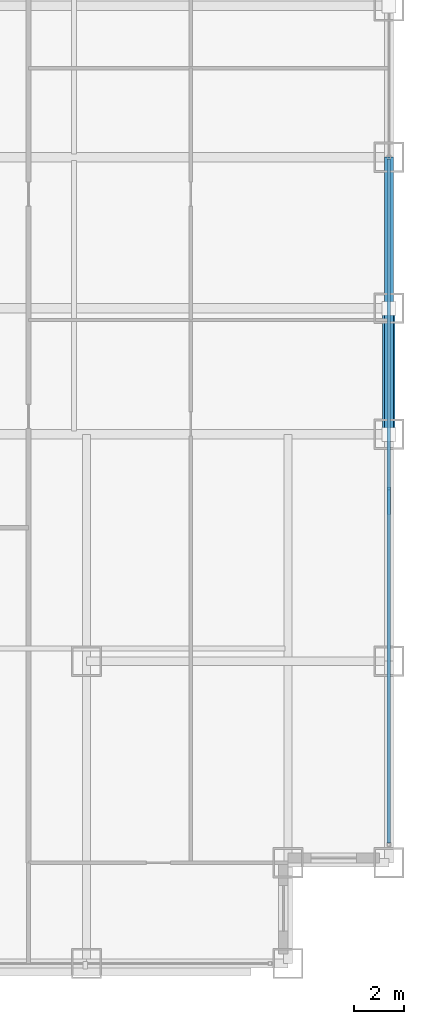
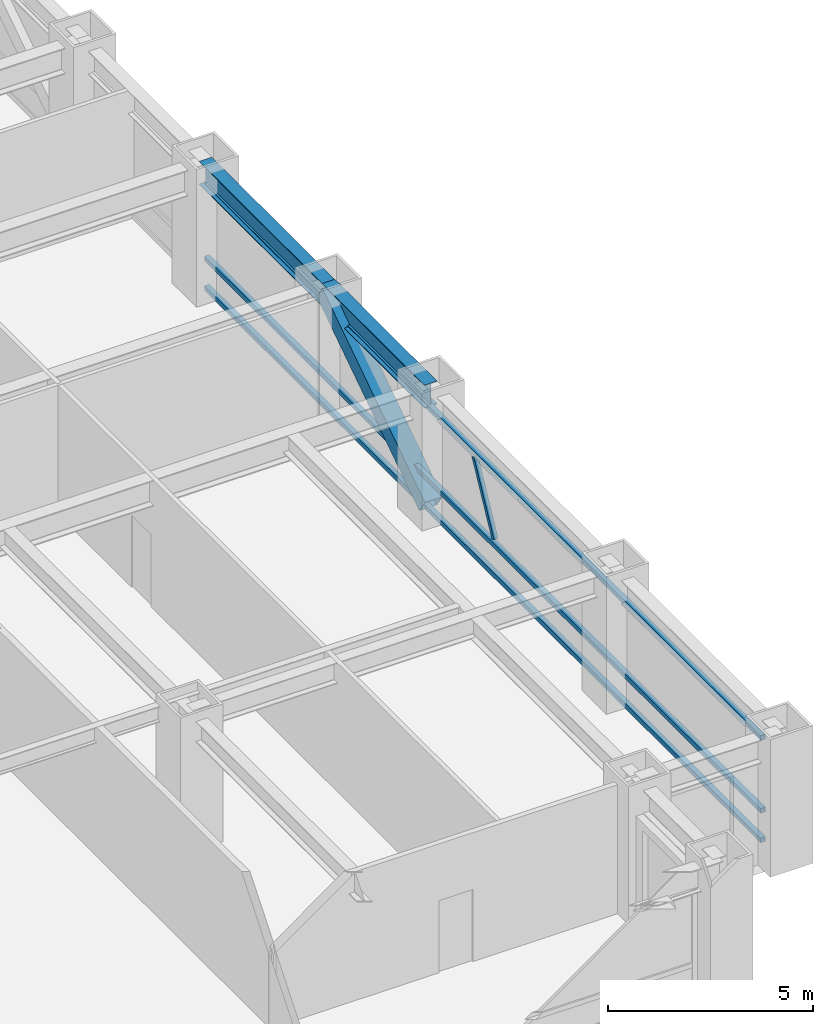
# One storey, part 13 of 32: 5 members, 2 beams, 1 element without a shape of its own.
"""IFC4 building model written with IfcOpenShell, lengths in metres."""

from ifc_helpers import new_model, si_unit, direction, frame, origin, origin_2d, place, context, subcontext, project, spatial, hollow_rectangle, i_section, extrude, source, transform, mapped, material, material_profile, profile_set, type_object, element, aggregate, save


model = new_model("IFC4")

# Units and contexts
model_context = context("Model", 3, precision=1e-05, world=origin(), true_north=direction((0.0, 1.0)))
body_context = subcontext(model_context, "Body", "Model", "MODEL_VIEW")
ifc_project = project(units=[si_unit("LENGTHUNIT", "METRE"), si_unit("AREAUNIT", "SQUARE_METRE"), si_unit("VOLUMEUNIT", "CUBIC_METRE"), si_unit("PLANEANGLEUNIT", "RADIAN"), si_unit("MASSUNIT", "GRAM", prefix="KILO")], contexts=[model_context])

# Site, building, storey
site_placement = place(None, origin())
site = spatial("IfcSite", under=ifc_project, at=site_placement, CompositionType="ELEMENT")
building_placement = place(site_placement, origin())
building = spatial("IfcBuilding", under=site, at=building_placement, Name="Khorayat Bourse Tower", CompositionType="ELEMENT")
storey_placement = place(building_placement, frame((0.0, 0.0, 132.39990234375)))
storey = spatial("IfcBuildingStorey", under=building, at=storey_placement, Name="L30", CompositionType="ELEMENT", Elevation=132.39990234375)

# Beams
ifc_material_1 = material(Name="Steel ASTM A992 Grade 50", Category="steel")
ifc_material_profile_1 = material_profile(ifc_material_1, i_section(OverallWidth=0.35498046875, OverallDepth=0.695068359375, WebThickness=0.015380859375, FlangeThickness=0.02490234375, FilletRadius=0.01806640625, at=origin_2d()), Name="W690X217")
ifc_profile_set_1 = profile_set([ifc_material_profile_1], Name="Steel ASTM A992 Grade 50")
beam_type = type_object("IfcBeamType", Name="BM-SPAN-690", PredefinedType="SPANDREL", material=ifc_profile_set_1)
shared_shape_1 = source(origin(), body_context, "Body", "SweptSolid", [
    extrude(i_section(OverallWidth=0.35498046875, OverallDepth=0.695068359375, WebThickness=0.015380859375, FlangeThickness=0.02490234375, FilletRadius=0.01806640625, at=origin_2d()), origin(), (0.0, 0.0, 1.0), 5.0),
])
beam_1_placement = place(storey_placement, frame((32.0, -11.0, 3.49267578125), z_axis=(0.0, 1.0, 0.0), x_axis=(-1.0, 0.0, 0.0)))
element("IfcBeam", 1, at=beam_1_placement, inside=storey, type_object=beam_type, Name="L30 BM-SPAN-690 BM-L30-SPN-036", PredefinedType="SPANDREL", context=body_context, shape_type="MappedRepresentation", body=[
    mapped(shared_shape_1, transform((0.0, 0.0, 0.0), scale=1.0)),
])
shared_shape_2 = source(origin(), body_context, "Body", "SweptSolid", [
    extrude(i_section(OverallWidth=0.35498046875, OverallDepth=0.695068359375, WebThickness=0.015380859375, FlangeThickness=0.02490234375, FilletRadius=0.01806640625, at=origin_2d()), origin(), (0.0, 0.0, 1.0), 6.0),
])
beam_2_placement = place(storey_placement, frame((32.0, -6.0, 3.49267578125), z_axis=(0.0, 1.0, 0.0), x_axis=(-1.0, 0.0, 0.0)))
element("IfcBeam", 2, at=beam_2_placement, inside=storey, type_object=beam_type, Name="L30 BM-SPAN-690 BM-L30-SPN-037", PredefinedType="SPANDREL", context=body_context, shape_type="MappedRepresentation", body=[
    mapped(shared_shape_2, transform((0.0, 0.0, 0.0), scale=1.0)),
])

# Member
ifc_material_2 = material(Name="Steel EN 10025-4 S460M", Category="steel")
ifc_material_profile_2 = material_profile(ifc_material_2, hollow_rectangle(XDim=0.5, YDim=0.5, WallThickness=0.028076171875, at=origin_2d()), Name="HSS 500x500x28")
ifc_profile_set_2 = profile_set([ifc_material_profile_2], Name="Steel EN 10025-4 S460M")
member_type_1 = type_object("IfcMemberType", Name="MBR-TUBE-500", PredefinedType="BRACE", material=ifc_profile_set_2)
shared_shape_3 = source(origin(), body_context, "Body", "SweptSolid", [
    extrude(hollow_rectangle(XDim=0.5, YDim=0.5, WallThickness=0.028076171875, at=origin_2d()), origin(), (0.0, 0.0, 1.0), 6.012939453125),
])
member_1_placement = place(storey_placement, frame((32.0, -11.0, 0.25), z_axis=(0.0, 0.831531473026, 0.555477640745), x_axis=(-1.0, 0.0, 0.0)))
element("IfcMember", 3, at=member_1_placement, inside=storey, type_object=member_type_1, Name="L30 Perimeter Tube Brace 07", PredefinedType="BRACE", context=body_context, shape_type="MappedRepresentation", body=[
    mapped(shared_shape_3, transform((0.0, 0.0, 0.0), scale=1.0)),
])

# Curtain wall, members
ifc_material_3 = material(Name="Aluminium EN AW-6063 T6", Category="aluminium")
curtain_wall_type = type_object("IfcCurtainWallType", Name="CW-SYS-02", PredefinedType="NOTDEFINED", material=ifc_material_3)
curtain_wall_placement = place(storey_placement, origin())
curtain_wall = element("IfcCurtainWall", 4, at=curtain_wall_placement, inside=storey, type_object=curtain_wall_type, Name="L30 Curtain Wall CW-L30-E1", PredefinedType="NOTDEFINED")
ifc_material_profile_3 = material_profile(ifc_material_3, hollow_rectangle(XDim=0.139892578125, YDim=0.139892578125, WallThickness=0.006103515625, at=origin_2d()), Name="ALU 140x140x6")
ifc_profile_set_3 = profile_set([ifc_material_profile_3], Name="Aluminium EN AW-6063 T6")
member_type_2 = type_object("IfcMemberType", Name="CWT-HORZ-140", PredefinedType="USERDEFINED", material=ifc_profile_set_3)
shared_shape_4 = source(origin(), body_context, "Body", "SweptSolid", [
    extrude(hollow_rectangle(XDim=0.139892578125, YDim=0.139892578125, WallThickness=0.006103515625, at=origin_2d()), origin(), (0.0, 0.0, 1.0), 27.139892578125),
])
member_2_placement = place(storey_placement, frame((32.0, -27.2099609375, 0.070068359375), z_axis=(0.0, 1.0, 0.0), x_axis=(-1.0, 0.0, 0.0)))
member_2 = element("IfcMember", 5, at=member_2_placement, type_object=member_type_2, Name="CW-L30-E1 Horizontal Transom 1-1", ObjectType="TRANSOM", PredefinedType="USERDEFINED", context=body_context, shape_type="MappedRepresentation", body=[
    mapped(shared_shape_4, transform((0.0, 0.0, 0.0), scale=1.0)),
])
member_3_placement = place(storey_placement, frame((32.0, -27.2099609375, 0.9501953125), z_axis=(0.0, 1.0, 0.0), x_axis=(-1.0, 0.0, 0.0)))
member_3 = element("IfcMember", 6, at=member_3_placement, type_object=member_type_2, Name="CW-L30-E1 Horizontal Transom 1-2", ObjectType="TRANSOM", PredefinedType="USERDEFINED", context=body_context, shape_type="MappedRepresentation", body=[
    mapped(shared_shape_4, transform((0.0, 0.0, 0.0), scale=1.0)),
])
member_4_placement = place(storey_placement, frame((32.0, -27.2099609375, 3.1201171875), z_axis=(0.0, 1.0, 0.0), x_axis=(-1.0, 0.0, 0.0)))
member_4 = element("IfcMember", 7, at=member_4_placement, type_object=member_type_2, Name="CW-L30-E1 Horizontal Transom 1-3", ObjectType="TRANSOM", PredefinedType="USERDEFINED", context=body_context, shape_type="MappedRepresentation", body=[
    mapped(shared_shape_4, transform((0.0, 0.0, 0.0), scale=1.0)),
])
ifc_material_profile_4 = material_profile(ifc_material_3, hollow_rectangle(XDim=0.1201171875, YDim=0.1201171875, WallThickness=0.0048828125, at=origin_2d()), Name="ALU 120x120x5")
ifc_profile_set_4 = profile_set([ifc_material_profile_4], Name="Aluminium EN AW-6063 T6")
member_type_3 = type_object("IfcMemberType", Name="CWM-DIAG-120", PredefinedType="MULLION", material=ifc_profile_set_4)
shared_shape_5 = source(origin(), body_context, "Body", "SweptSolid", [
    extrude(hollow_rectangle(XDim=0.1201171875, YDim=0.1201171875, WallThickness=0.0048828125, at=origin_2d()), origin(), (0.0, 0.0, 1.0), 2.11328125),
])
member_5_placement = place(storey_placement, frame((32.0, -14.132080078125, 1.10009765625), z_axis=(0.0, 0.465694055905, 0.884945787207), x_axis=(-1.0, 0.0, 0.0)))
member_5 = element("IfcMember", 8, at=member_5_placement, type_object=member_type_3, Name="CW-L30-E1 Faceted Diagonal Mullion 1", PredefinedType="MULLION", context=body_context, shape_type="MappedRepresentation", body=[
    mapped(shared_shape_5, transform((0.0, 0.0, 0.0), scale=1.0)),
])
aggregate(curtain_wall, [member_2, member_3, member_4, member_5])

save(model, "model.ifc")
